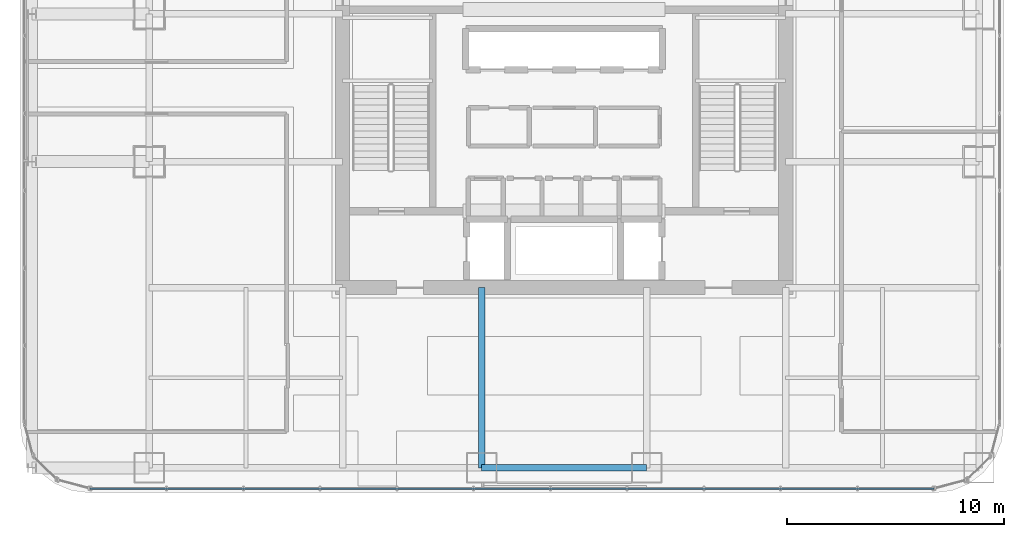
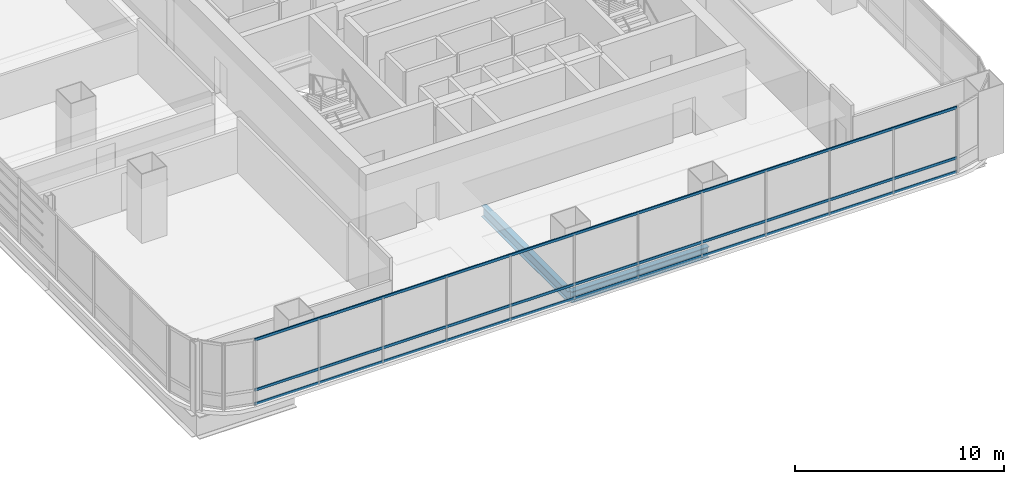
# One storey, part 8 of 38: 3 members, 2 beams, 1 element without a shape of its own.
"""IFC4 building model written with IfcOpenShell, lengths in metres."""

from ifc_helpers import new_model, si_unit, direction, frame, origin, origin_2d, place, context, subcontext, project, spatial, hollow_rectangle, i_section, extrude, material, material_profile, profile_set, type_object, element, aggregate, save


model = new_model("IFC4")

# Units and contexts
model_context = context("Model", 3, precision=1e-05, world=origin(), true_north=direction((0.0, 1.0)))
body_context = subcontext(model_context, "Body", "Model", "MODEL_VIEW")
ifc_project = project(units=[si_unit("LENGTHUNIT", "METRE"), si_unit("AREAUNIT", "SQUARE_METRE"), si_unit("VOLUMEUNIT", "CUBIC_METRE"), si_unit("PLANEANGLEUNIT", "RADIAN"), si_unit("MASSUNIT", "GRAM", prefix="KILO")], contexts=[model_context])

# Site, building, storey
site_placement = place(None, origin())
site = spatial("IfcSite", under=ifc_project, at=site_placement, CompositionType="ELEMENT")
building_placement = place(site_placement, origin())
building = spatial("IfcBuilding", under=site, at=building_placement, Name="Punatoya Terracotta Tower", CompositionType="ELEMENT")
storey_placement = place(building_placement, frame((0.0, 0.0, 143.85009765625)))
storey = spatial("IfcBuildingStorey", under=building, at=storey_placement, Name="L33", CompositionType="ELEMENT", Elevation=143.85009765625)

# Beams
ifc_material_1 = material(Name="Steel S355", Category="steel")
ifc_material_profile_1 = material_profile(ifc_material_1, i_section(OverallWidth=0.300048828125, OverallDepth=0.64990234375, WebThickness=0.01611328125, FlangeThickness=0.031005859375, FilletRadius=0.01806640625, at=origin_2d()))
ifc_profile_set_1 = profile_set([ifc_material_profile_1], Name="Steel S355")
beam_type = type_object("IfcBeamType", Name="BM-PRI-650", PredefinedType="BEAM", material=ifc_profile_set_1)
beam_1_placement = place(storey_placement, frame((-3.800048828125, -17.5, -0.545166015625), z_axis=(1.0, 0.0, 0.0), x_axis=(0.0, 1.0, 0.0)))
element("IfcBeam", 1, at=beam_1_placement, inside=storey, type_object=beam_type, Name="BM-L33-RG-S2", PredefinedType="BEAM", context=body_context, shape_type="SweptSolid", body=[
    extrude(i_section(OverallWidth=0.300048828125, OverallDepth=0.64990234375, WebThickness=0.01611328125, FlangeThickness=0.031005859375, FilletRadius=0.01806640625, at=origin_2d()), origin(), (0.0, 0.0, 1.0), 7.60009765625),
])
beam_2_placement = place(storey_placement, frame((-3.800048828125, -17.5, -0.545166015625), z_axis=(0.0, 1.0, 0.0), x_axis=(-1.0, 0.0, 0.0)))
element("IfcBeam", 2, at=beam_2_placement, inside=storey, type_object=beam_type, Name="BM-L33-PR-S2", PredefinedType="BEAM", context=body_context, shape_type="SweptSolid", body=[
    extrude(i_section(OverallWidth=0.300048828125, OverallDepth=0.64990234375, WebThickness=0.01611328125, FlangeThickness=0.031005859375, FilletRadius=0.01806640625, at=origin_2d()), origin(), (0.0, 0.0, 1.0), 8.300048828125),
])

# Curtain wall, members
ifc_material_2 = material(Name="Aluminium 6063-T6 + Double Low-E Glass", Category="aluminium")
curtain_wall_type = type_object("IfcCurtainWallType", Name="CW-M2", PredefinedType="NOTDEFINED", material=ifc_material_2)
curtain_wall_placement = place(storey_placement, origin())
curtain_wall = element("IfcCurtainWall", 3, at=curtain_wall_placement, inside=storey, type_object=curtain_wall_type, Name="L33 Curtain Wall CW-L33-S01-1", PredefinedType="NOTDEFINED")
ifc_material_3 = material(Name="Aluminium 6063-T6", Category="aluminium")
ifc_material_profile_2 = material_profile(ifc_material_3, hollow_rectangle(XDim=0.068115234375, YDim=0.14990234375, WallThickness=0.00390625, at=origin_2d()))
ifc_profile_set_2 = profile_set([ifc_material_profile_2], Name="Aluminium 6063-T6")
member_type = type_object("IfcMemberType", Name="CW-TRN-TYP", PredefinedType="USERDEFINED", material=ifc_profile_set_2)
member_1_placement = place(storey_placement, frame((-21.8369140625, -18.449951171875, 0.039794921875), z_axis=(1.0, 0.0, 0.0), x_axis=(0.0, 1.0, 0.0)))
member_1 = element("IfcMember", 4, at=member_1_placement, type_object=member_type, Name="CW-L33-S01-1 Transom 1", ObjectType="TRANSOM", PredefinedType="USERDEFINED", context=body_context, shape_type="SweptSolid", body=[
    extrude(hollow_rectangle(XDim=0.068115234375, YDim=0.14990234375, WallThickness=0.00390625, at=origin_2d()), origin(), (0.0, 0.0, 1.0), 38.873779296875),
])
member_2_placement = place(storey_placement, frame((-21.8369140625, -18.449951171875, 0.849853515625), z_axis=(1.0, 0.0, 0.0), x_axis=(0.0, 1.0, 0.0)))
member_2 = element("IfcMember", 5, at=member_2_placement, type_object=member_type, Name="CW-L33-S01-1 Transom 2", ObjectType="TRANSOM", PredefinedType="USERDEFINED", context=body_context, shape_type="SweptSolid", body=[
    extrude(hollow_rectangle(XDim=0.068115234375, YDim=0.14990234375, WallThickness=0.00390625, at=origin_2d()), origin(), (0.0, 0.0, 1.0), 38.873779296875),
])
member_3_placement = place(storey_placement, frame((-21.8369140625, -18.449951171875, 3.789794921875), z_axis=(1.0, 0.0, 0.0), x_axis=(0.0, 1.0, 0.0)))
member_3 = element("IfcMember", 6, at=member_3_placement, type_object=member_type, Name="CW-L33-S01-1 Transom 3", ObjectType="TRANSOM", PredefinedType="USERDEFINED", context=body_context, shape_type="SweptSolid", body=[
    extrude(hollow_rectangle(XDim=0.068115234375, YDim=0.14990234375, WallThickness=0.00390625, at=origin_2d()), origin(), (0.0, 0.0, 1.0), 38.873779296875),
])
aggregate(curtain_wall, [member_1, member_2, member_3])

save(model, "model.ifc")
